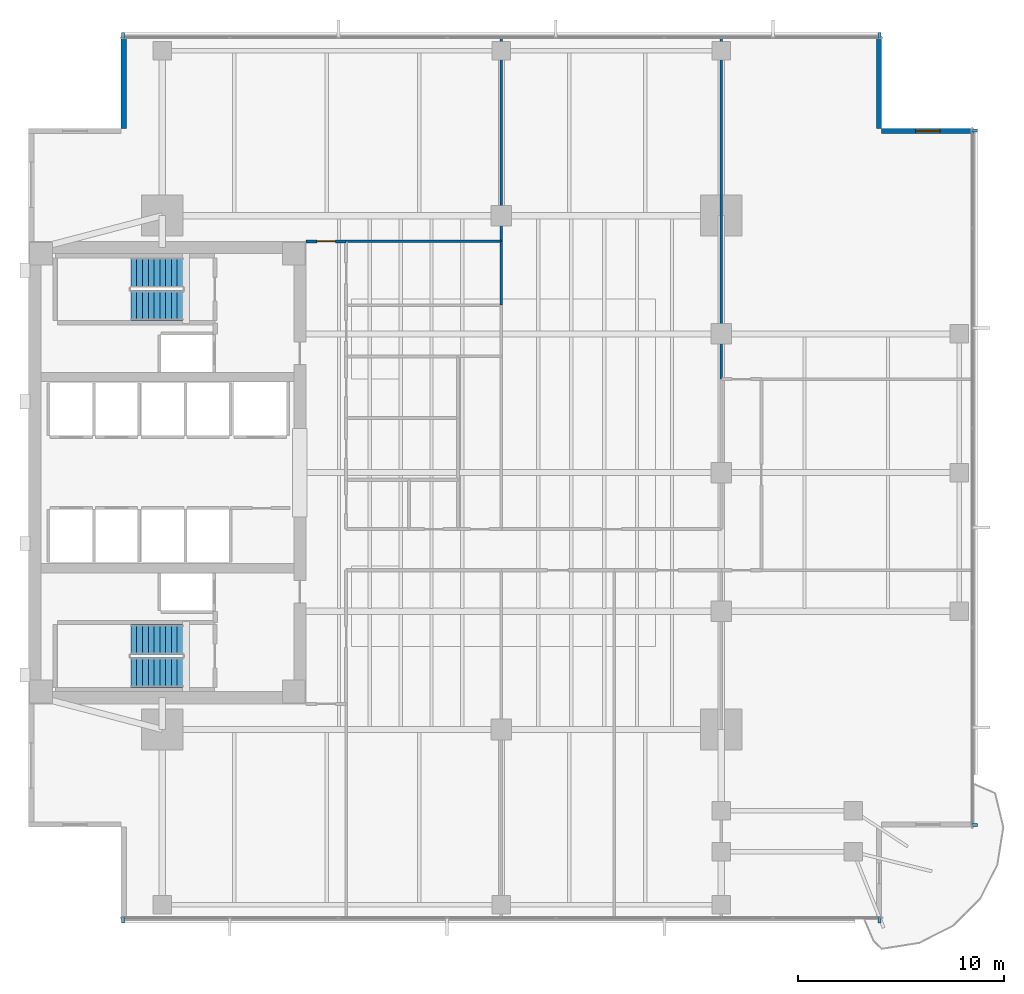
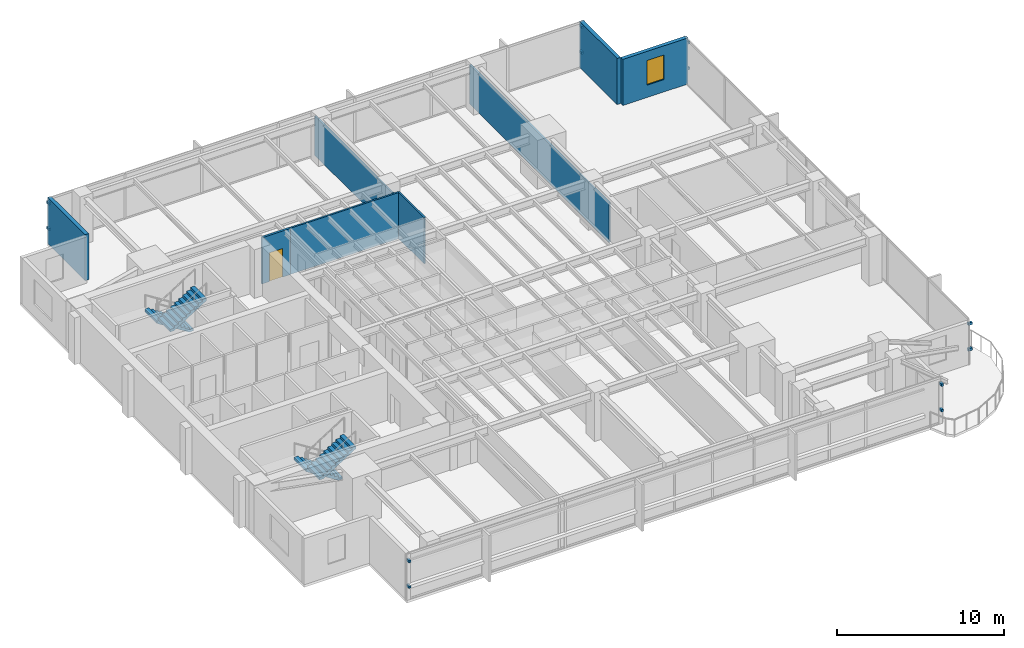
# One storey, part 10 of 15: 12 discrete accessories, 8 walls, 4 stair flights, 1 door, 1 window, 2 openings, 2 elements without a shape of their own.
"""IFC4 building model written with IfcOpenShell, lengths in metres."""

from ifc_helpers import new_model, si_unit, direction, frame, frame_2d, origin, origin_2d, place, context, subcontext, project, spatial, polyline, rectangle, outline, extrude, material, layer, layer_set, type_object, element, fill, aggregate, save


model = new_model("IFC4")

# Units and contexts
model_context = context("Model", 3, precision=1e-05, world=origin(), true_north=direction((0.0, 1.0)))
body_context = subcontext(model_context, "Body", "Model", "MODEL_VIEW")
ifc_project = project(units=[si_unit("LENGTHUNIT", "METRE"), si_unit("AREAUNIT", "SQUARE_METRE"), si_unit("VOLUMEUNIT", "CUBIC_METRE"), si_unit("PLANEANGLEUNIT", "RADIAN"), si_unit("MASSUNIT", "GRAM", prefix="KILO")], contexts=[model_context])

# Site, building, storey
site_placement = place(None, origin())
site = spatial("IfcSite", under=ifc_project, at=site_placement, CompositionType="ELEMENT")
building_placement = place(site_placement, origin())
building = spatial("IfcBuilding", under=site, at=building_placement, Name="Kinhvarn Gate Tower", CompositionType="ELEMENT")
storey_placement = place(building_placement, frame((0.0, 0.0, 109.35009765625)))
storey = spatial("IfcBuildingStorey", under=building, at=storey_placement, Name="L28", CompositionType="ELEMENT", Elevation=109.35009765625)

# Wall, opening, window
ifc_material_1 = material(Name="Fired architectural terracotta", Category="masonry")
ifc_layer_1 = layer(ifc_material_1, 0.25)
ifc_layer_set_1 = layer_set([ifc_layer_1], Name="Fired architectural terracotta")
wall_type_1 = type_object("IfcWallType", Name="WL-EXT-250", PredefinedType="SOLIDWALL", material=ifc_layer_set_1)
wall_1_placement = place(storey_placement, frame((50.5, 41.875, 0.0), z_axis=(0.0, 0.0, 1.0), x_axis=(-1.0, 0.0, 0.0)))
wall_1 = element("IfcWall", 1, at=wall_1_placement, inside=storey, type_object=wall_type_1, Name="Exterior Solidwall Wall EW-250 (L28 NE-Notch-1)", PredefinedType="SOLIDWALL", context=body_context, shape_type="SweptSolid", body=[
    extrude(rectangle(XDim=4.5, YDim=0.25, at=frame_2d((2.25, 0.0))), origin(), (0.0, 0.0, 1.0), 3.369873046875),
])
opening_1_placement = place(wall_1_placement, frame((1.64990234375, 0.0, 0.89990234375)))
opening_1 = element("IfcOpeningElement", 2, at=opening_1_placement, cuts=wall_1, Name="Opening WN-02", PredefinedType="OPENING", context=body_context, shape_type="SweptSolid", body=[
    extrude(rectangle(XDim=1.199951171875, YDim=1.800048828125, at=frame_2d((0.60009765625, 0.89990234375))), frame((0.0, 0.135009765625, 0.0), z_axis=(0.0, -1.0, 0.0), x_axis=(1.0, 0.0, 0.0)), (0.0, 0.0, 1.0), 0.27001953125),
])
ifc_material_2 = material(Name="Clear low-e double glazing", Category="glass")
window_type = type_object("IfcWindowType", Name="WIN-NTC-1200", PartitioningType="SINGLE_PANEL", PredefinedType="WINDOW", material=ifc_material_2)
window_placement = place(opening_1_placement, origin())
window = element("IfcWindow", 3, at=window_placement, inside=storey, type_object=window_type, Name="Recessed Corner Notch Punched Window 1200x1800 mm (L28)", OverallHeight=1.800048828125, OverallWidth=1.199951171875, PartitioningType="SINGLE_PANEL", PredefinedType="WINDOW", context=body_context, shape_type="SweptSolid", body=[
    extrude(rectangle(XDim=1.199951171875, YDim=1.800048828125, at=frame_2d((0.60009765625, 0.89990234375))), frame((0.0, 0.030029296875, 0.0), z_axis=(0.0, -1.0, 0.0), x_axis=(1.0, 0.0, 0.0)), (0.0, 0.0, 1.0), 0.06005859375),
])
fill(opening_1, window)

# Walls
for number, where, z_axis, x_axis, name in (
    (4, (45.875, 42.0, 0.0), (0.0, 0.0, 1.0), (0.0, 1.0, 0.0), "Exterior Solidwall Wall EW-250 (L28 NE-Notch-2)"),
    (5, (9.125, 46.5, 0.0), (0.0, 0.0, 1.0), (0.0, -1.0, 0.0), "Exterior Solidwall Wall EW-250 (L28 NW-Notch-1)"),
):
    element("IfcWall", number, at=place(storey_placement, frame(where, z_axis=z_axis, x_axis=x_axis)), inside=storey, type_object=wall_type_1, Name=name, PredefinedType="SOLIDWALL", context=body_context, shape_type="SweptSolid", body=[
        extrude(rectangle(XDim=4.5, YDim=0.25, at=frame_2d((2.25, 0.0))), origin(), (0.0, 0.0, 1.0), 3.369873046875),
    ])
ifc_material_3 = material(Name="Gypsum acoustic partition board")
ifc_layer_2 = layer(ifc_material_3, 0.1201171875)
ifc_layer_set_2 = layer_set([ifc_layer_2], Name="Gypsum acoustic partition board")
wall_type_2 = type_object("IfcWallType", Name="WL-PRT-120", PredefinedType="PARTITIONING", material=ifc_layer_set_2)
wall_2_placement = place(storey_placement, frame((19.949951171875, 36.5, 0.0), z_axis=(0.0, 0.0, 1.0), x_axis=(1.0, 0.0, 0.0)))
element("IfcWall", 6, at=wall_2_placement, inside=storey, type_object=wall_type_2, Name="Interior Partition PW-120 (L28)", PredefinedType="PARTITIONING", context=body_context, shape_type="SweptSolid", body=[
    extrude(rectangle(XDim=7.550048828125, YDim=0.1201171875, at=frame_2d((3.77490234375, 0.0))), origin(), (0.0, 0.0, 1.0), 3.369873046875),
])
wall_3_placement = place(storey_placement, frame((27.5, 33.39990234375, 0.0), z_axis=(0.0, 0.0, 1.0), x_axis=(0.0, 1.0, 0.0)))
element("IfcWall", 7, at=wall_3_placement, inside=storey, type_object=wall_type_2, Name="Interior Partition PW-120 (L28)", PredefinedType="PARTITIONING", context=body_context, shape_type="SweptSolid", body=[
    extrude(rectangle(XDim=3.10009765625, YDim=0.1201171875, at=frame_2d((1.550048828125, 0.0))), origin(), (0.0, 0.0, 1.0), 3.369873046875),
])
wall_4_placement = place(storey_placement, frame((27.5, 36.5, 0.0), z_axis=(0.0, 0.0, 1.0), x_axis=(0.0, 1.0, 0.0)))
element("IfcWall", 8, at=wall_4_placement, inside=storey, type_object=wall_type_2, Name="Interior Partition PW-120 (L28)", PredefinedType="PARTITIONING", context=body_context, shape_type="SweptSolid", body=[
    extrude(rectangle(XDim=9.989990234375, YDim=0.1201171875, at=frame_2d((4.9951171875, 0.0))), origin(), (0.0, 0.0, 1.0), 2.869873046875),
])
wall_5_placement = place(storey_placement, frame((38.199951171875, 29.800048828125, 0.0), z_axis=(0.0, 0.0, 1.0), x_axis=(0.0, 1.0, 0.0)))
element("IfcWall", 9, at=wall_5_placement, inside=storey, type_object=wall_type_2, Name="Interior Partition PW-120 (L28)", PredefinedType="PARTITIONING", context=body_context, shape_type="SweptSolid", body=[
    extrude(rectangle(XDim=16.68994140625, YDim=0.1201171875, at=frame_2d((8.344970703125, 0.0))), origin(), (0.0, 0.0, 1.0), 2.869873046875),
])

# Wall, opening, door
ifc_layer_3 = layer(ifc_material_3, 0.14990234375)
ifc_layer_set_3 = layer_set([ifc_layer_3], Name="Gypsum acoustic partition board")
wall_type_3 = type_object("IfcWallType", Name="WL-PRT-150F", PredefinedType="PARTITIONING", material=ifc_layer_set_3)
wall_6_placement = place(storey_placement, frame((18.0, 36.5, 0.0), z_axis=(0.0, 0.0, 1.0), x_axis=(1.0, 0.0, 0.0)))
wall_6 = element("IfcWall", 10, at=wall_6_placement, inside=storey, type_object=wall_type_3, Name="Interior Partition PW-150F (L28)", PredefinedType="PARTITIONING", context=body_context, shape_type="SweptSolid", body=[
    extrude(rectangle(XDim=1.949951171875, YDim=0.14990234375, at=frame_2d((0.97509765625, 0.0))), origin(), (0.0, 0.0, 1.0), 3.369873046875),
])
opening_2_placement = place(wall_6_placement, frame((0.52490234375, 0.0, 0.0)))
opening_2 = element("IfcOpeningElement", 11, at=opening_2_placement, cuts=wall_6, Name="Opening ID-03", PredefinedType="OPENING", context=body_context, shape_type="SweptSolid", body=[
    extrude(rectangle(XDim=0.89990234375, YDim=2.10009765625, at=frame_2d((0.449951171875, 1.050048828125))), frame((0.0, 0.0849609375, 0.0), z_axis=(0.0, -1.0, 0.0), x_axis=(1.0, 0.0, 0.0)), (0.0, 0.0, 1.0), 0.169921875),
])
ifc_material_4 = material(Name="Anodised aluminium AW-6063", Category="aluminium")
door_type = type_object("IfcDoorType", Name="DR-INT-900", OperationType="NOTDEFINED", PredefinedType="DOOR", material=ifc_material_4)
door_placement = place(opening_2_placement, origin())
door = element("IfcDoor", 12, at=door_placement, inside=storey, type_object=door_type, Name="Cellular Office & Restroom Door 900x2100 mm (L28)", OperationType="SINGLE_SWING_LEFT", OverallHeight=2.10009765625, OverallWidth=0.89990234375, PredefinedType="DOOR", context=body_context, shape_type="SweptSolid", body=[
    extrude(rectangle(XDim=0.89990234375, YDim=2.10009765625, at=frame_2d((0.449951171875, 1.050048828125))), frame((0.0, 0.02490234375, 0.0), z_axis=(0.0, -1.0, 0.0), x_axis=(1.0, 0.0, 0.0)), (0.0, 0.0, 1.0), 0.050048828125),
])
fill(opening_2, door)

# Stair, stair flights
ifc_material_5 = material(Name="Concrete C40/50", Category="concrete")
stair_type = type_object("IfcStairType", Name="STR-DLG-178", PredefinedType="HALF_TURN_STAIR", material=ifc_material_5)
stair_1_placement = place(storey_placement, origin())
stair_1 = element("IfcStair", 13, at=stair_1_placement, inside=storey, type_object=stair_type, Name="L28 Core Smokeproof Exit Stair ST1", PredefinedType="HALF_TURN_STAIR")
stair_flight_type = type_object("IfcStairFlightType", Name="STF-DLG-178", PredefinedType="STRAIGHT", material=ifc_material_5)
stair_flight_1_placement = place(storey_placement, frame((12.0, 17.125, 0.0), z_axis=(0.0, 0.0, 1.0), x_axis=(-1.0, 0.0, 0.0)))
stair_flight_1 = element("IfcStairFlight", 14, at=stair_flight_1_placement, type_object=stair_flight_type, Name="ST1 flight 1", NumberOfRisers=10, NumberOfTreads=9, PredefinedType="STRAIGHT", RiserHeight=0.1775, TreadLength=0.28, context=body_context, shape_type="SweptSolid", body=[
    extrude(outline(polyline([(0.0, 0.0), (0.0, 0.177490234375), (0.280029296875, 0.177490234375), (0.280029296875, 0.35498046875), (0.56005859375, 0.35498046875), (0.56005859375, 0.532470703125), (0.840087890625, 0.532470703125), (0.840087890625, 0.7099609375), (1.1201171875, 0.7099609375), (1.1201171875, 0.887451171875), (1.39990234375, 0.887451171875), (1.39990234375, 1.06494140625), (1.679931640625, 1.06494140625), (1.679931640625, 1.242431640625), (1.9599609375, 1.242431640625), (1.9599609375, 1.419921875), (2.239990234375, 1.419921875), (2.239990234375, 1.597412109375), (2.52001953125, 1.597412109375), (2.52001953125, 1.77490234375), (2.52001953125, 1.419921875), (0.280029296875, 0.0), (0.0, 0.0)])), frame((0.0, 0.72509765625, 0.0), z_axis=(0.0, -1.0, 0.0), x_axis=(1.0, 0.0, 0.0)), (0.0, 0.0, 1.0), 1.449951171875),
])
stair_flight_2_placement = place(storey_placement, frame((9.47998046875, 15.52490234375, 1.77490234375), z_axis=(0.0, 0.0, 1.0), x_axis=(1.0, 0.0, 0.0)))
stair_flight_2 = element("IfcStairFlight", 15, at=stair_flight_2_placement, type_object=stair_flight_type, Name="ST1 flight 2", NumberOfRisers=10, NumberOfTreads=9, PredefinedType="STRAIGHT", RiserHeight=0.1775, TreadLength=0.28, context=body_context, shape_type="SweptSolid", body=[
    extrude(outline(polyline([(0.0, 0.0), (0.0, 0.177490234375), (0.280029296875, 0.177490234375), (0.280029296875, 0.35498046875), (0.56005859375, 0.35498046875), (0.56005859375, 0.532470703125), (0.840087890625, 0.532470703125), (0.840087890625, 0.7099609375), (1.1201171875, 0.7099609375), (1.1201171875, 0.887451171875), (1.39990234375, 0.887451171875), (1.39990234375, 1.06494140625), (1.679931640625, 1.06494140625), (1.679931640625, 1.242431640625), (1.9599609375, 1.242431640625), (1.9599609375, 1.419921875), (2.239990234375, 1.419921875), (2.239990234375, 1.597412109375), (2.52001953125, 1.597412109375), (2.52001953125, 1.77490234375), (2.52001953125, 1.419921875), (0.280029296875, 0.0), (0.0, 0.0)])), frame((0.0, 0.72509765625, 0.0), z_axis=(0.0, -1.0, 0.0), x_axis=(1.0, 0.0, 0.0)), (0.0, 0.0, 1.0), 1.449951171875),
])
aggregate(stair_1, [stair_flight_1, stair_flight_2])

stair_2_placement = place(storey_placement, origin())
stair_2 = element("IfcStair", 16, at=stair_2_placement, inside=storey, type_object=stair_type, Name="L28 Core Smokeproof Exit Stair ST2", PredefinedType="HALF_TURN_STAIR")
stair_flight_3_placement = place(storey_placement, frame((12.0, 34.97509765625, 0.0), z_axis=(0.0, 0.0, 1.0), x_axis=(-1.0, 0.0, 0.0)))
stair_flight_3 = element("IfcStairFlight", 17, at=stair_flight_3_placement, type_object=stair_flight_type, Name="ST2 flight 1", NumberOfRisers=10, NumberOfTreads=9, PredefinedType="STRAIGHT", RiserHeight=0.1775, TreadLength=0.28, context=body_context, shape_type="SweptSolid", body=[
    extrude(outline(polyline([(0.0, 0.0), (0.0, 0.177490234375), (0.280029296875, 0.177490234375), (0.280029296875, 0.35498046875), (0.56005859375, 0.35498046875), (0.56005859375, 0.532470703125), (0.840087890625, 0.532470703125), (0.840087890625, 0.7099609375), (1.1201171875, 0.7099609375), (1.1201171875, 0.887451171875), (1.39990234375, 0.887451171875), (1.39990234375, 1.06494140625), (1.679931640625, 1.06494140625), (1.679931640625, 1.242431640625), (1.9599609375, 1.242431640625), (1.9599609375, 1.419921875), (2.239990234375, 1.419921875), (2.239990234375, 1.597412109375), (2.52001953125, 1.597412109375), (2.52001953125, 1.77490234375), (2.52001953125, 1.419921875), (0.280029296875, 0.0), (0.0, 0.0)])), frame((0.0, 0.72509765625, 0.0), z_axis=(0.0, -1.0, 0.0), x_axis=(1.0, 0.0, 0.0)), (0.0, 0.0, 1.0), 1.449951171875),
])
stair_flight_4_placement = place(storey_placement, frame((9.47998046875, 33.375, 1.77490234375), z_axis=(0.0, 0.0, 1.0), x_axis=(1.0, 0.0, 0.0)))
stair_flight_4 = element("IfcStairFlight", 18, at=stair_flight_4_placement, type_object=stair_flight_type, Name="ST2 flight 2", NumberOfRisers=10, NumberOfTreads=9, PredefinedType="STRAIGHT", RiserHeight=0.1775, TreadLength=0.28, context=body_context, shape_type="SweptSolid", body=[
    extrude(outline(polyline([(0.0, 0.0), (0.0, 0.177490234375), (0.280029296875, 0.177490234375), (0.280029296875, 0.35498046875), (0.56005859375, 0.35498046875), (0.56005859375, 0.532470703125), (0.840087890625, 0.532470703125), (0.840087890625, 0.7099609375), (1.1201171875, 0.7099609375), (1.1201171875, 0.887451171875), (1.39990234375, 0.887451171875), (1.39990234375, 1.06494140625), (1.679931640625, 1.06494140625), (1.679931640625, 1.242431640625), (1.9599609375, 1.242431640625), (1.9599609375, 1.419921875), (2.239990234375, 1.419921875), (2.239990234375, 1.597412109375), (2.52001953125, 1.597412109375), (2.52001953125, 1.77490234375), (2.52001953125, 1.419921875), (0.280029296875, 0.0), (0.0, 0.0)])), frame((0.0, 0.72509765625, 0.0), z_axis=(0.0, -1.0, 0.0), x_axis=(1.0, 0.0, 0.0)), (0.0, 0.0, 1.0), 1.449951171875),
])
aggregate(stair_2, [stair_flight_3, stair_flight_4])

# Discrete accessories
discrete_accessory_type = type_object("IfcDiscreteAccessoryType", Name="ACC-BRK-01", PredefinedType="BRACKET", material=ifc_material_4)
for number, where, z_axis, x_axis, name in (
    (19, (9.10009765625, 3.469970703125, 0.9599609375), (0.0, 0.0, 1.0), (1.0, 0.0, 0.0), "Baguette Support Bracket BK-01 (L28)"),
    (20, (9.10009765625, 3.469970703125, 2.830078125), (0.0, 0.0, 1.0), (1.0, 0.0, 0.0), "Baguette Support Bracket BK-01 (L28)"),
    (21, (45.89990234375, 3.469970703125, 0.9599609375), (0.0, 0.0, 1.0), (1.0, 0.0, 0.0), "Baguette Support Bracket BK-01 (L28)"),
    (22, (45.89990234375, 3.469970703125, 2.830078125), (0.0, 0.0, 1.0), (1.0, 0.0, 0.0), "Baguette Support Bracket BK-01 (L28)"),
    (23, (45.89990234375, 46.530029296875, 0.9599609375), (0.0, 0.0, 1.0), (-1.0, 0.0, 0.0), "Baguette Support Bracket BK-01 (L28)"),
    (24, (45.89990234375, 46.530029296875, 2.830078125), (0.0, 0.0, 1.0), (-1.0, 0.0, 0.0), "Baguette Support Bracket BK-01 (L28)"),
    (25, (9.10009765625, 46.530029296875, 0.9599609375), (0.0, 0.0, 1.0), (-1.0, 0.0, 0.0), "Baguette Support Bracket BK-01 (L28)"),
    (26, (9.10009765625, 46.530029296875, 2.830078125), (0.0, 0.0, 1.0), (-1.0, 0.0, 0.0), "Baguette Support Bracket BK-01 (L28)"),
    (27, (50.530029296875, 8.10009765625, 0.9599609375), (0.0, 0.0, 1.0), (0.0, 1.0, 0.0), "Baguette Support Bracket BK-01 (L28)"),
    (28, (50.530029296875, 8.10009765625, 2.830078125), (0.0, 0.0, 1.0), (0.0, 1.0, 0.0), "Baguette Support Bracket BK-01 (L28)"),
    (29, (50.530029296875, 41.89990234375, 0.9599609375), (0.0, 0.0, 1.0), (0.0, 1.0, 0.0), "Baguette Support Bracket BK-01 (L28)"),
    (30, (50.530029296875, 41.89990234375, 2.830078125), (0.0, 0.0, 1.0), (0.0, 1.0, 0.0), "Baguette Support Bracket BK-01 (L28)"),
):
    element("IfcDiscreteAccessory", number, at=place(storey_placement, frame(where, z_axis=z_axis, x_axis=x_axis)), inside=storey, type_object=discrete_accessory_type, Name=name, PredefinedType="BRACKET", context=body_context, shape_type="SweptSolid", body=[
        extrude(rectangle(XDim=0.139892578125, YDim=0.280029296875, at=origin_2d()), origin(), (0.0, 0.0, 1.0), 0.179931640625),
    ])

save(model, "model.ifc")
